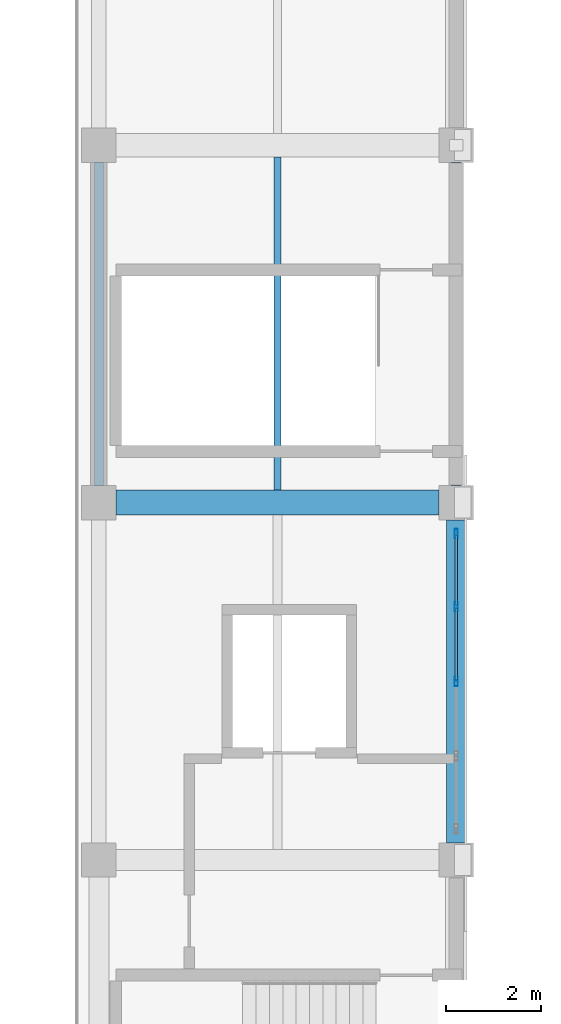
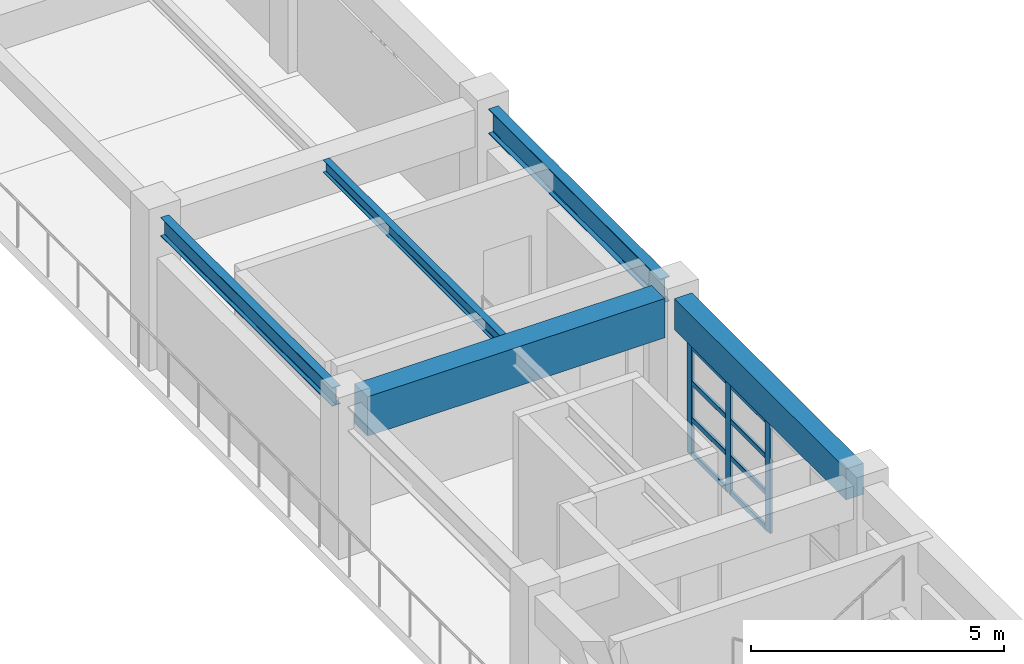
# One storey, part 50 of 101: 11 members, 5 beams, 1 element without a shape of its own.
"""IFC4 building model written with IfcOpenShell, lengths in metres."""

from ifc_helpers import new_model, si_unit, direction, frame, origin, origin_2d, place, context, subcontext, project, spatial, rectangle, hollow_rectangle, i_section, extrude, material, material_profile, profile_set, type_object, element, aggregate, save


model = new_model("IFC4")

# Units and contexts
model_context = context("Model", 3, precision=1e-05, world=origin(), true_north=direction((0.0, 1.0)))
body_context = subcontext(model_context, "Body", "Model", "MODEL_VIEW")
ifc_project = project(units=[si_unit("LENGTHUNIT", "METRE"), si_unit("AREAUNIT", "SQUARE_METRE"), si_unit("VOLUMEUNIT", "CUBIC_METRE"), si_unit("PLANEANGLEUNIT", "RADIAN"), si_unit("MASSUNIT", "GRAM", prefix="KILO")], contexts=[model_context])

# Site, building, storey
site_placement = place(None, origin())
site = spatial("IfcSite", under=ifc_project, at=site_placement, CompositionType="ELEMENT")
building_placement = place(site_placement, origin())
building = spatial("IfcBuilding", under=site, at=building_placement, Name="Qasida Concert Hall", CompositionType="ELEMENT")
storey_placement = place(building_placement, frame((0.0, 0.0, 13.199951171875)))
storey = spatial("IfcBuildingStorey", under=building, at=storey_placement, Name="L03", CompositionType="ELEMENT", Elevation=13.199951171875)

# Beams
ifc_material_1 = material(Name="Steel S355J2", Category="steel")
ifc_material_profile_1 = material_profile(ifc_material_1, i_section(OverallWidth=0.18994140625, OverallDepth=0.449951171875, WebThickness=0.009521484375, FlangeThickness=0.0146484375, FilletRadius=0.02099609375, at=origin_2d()), Name="IPE 450")
ifc_profile_set_1 = profile_set([ifc_material_profile_1], Name="Steel S355J2")
beam_type_1 = type_object("IfcBeamType", Name="BM-B5", PredefinedType="BEAM", material=ifc_profile_set_1)
beam_1_placement = place(storey_placement, frame((97.5, 60.360107421875, 3.39501953125), z_axis=(0.0, 1.0, 0.0), x_axis=(-1.0, 0.0, 0.0)))
element("IfcBeam", 1, at=beam_1_placement, inside=storey, type_object=beam_type_1, Name="L03 girder 1565", PredefinedType="BEAM", context=body_context, shape_type="SweptSolid", body=[
    extrude(i_section(OverallWidth=0.18994140625, OverallDepth=0.449951171875, WebThickness=0.009521484375, FlangeThickness=0.0146484375, FilletRadius=0.02099609375, at=origin_2d()), origin(), (0.0, 0.0, 1.0), 6.77978515625),
])
ifc_material_2 = material(Name="Concrete C40/50", Category="concrete")
ifc_material_profile_2 = material_profile(ifc_material_2, rectangle(XDim=0.52001953125, YDim=0.949951171875, at=origin_2d()), Name="RC 520x950")
ifc_profile_set_2 = profile_set([ifc_material_profile_2], Name="Concrete C40/50")
beam_type_2 = type_object("IfcBeamType", Name="BM-G7", PredefinedType="USERDEFINED", material=ifc_profile_set_2)
beam_2_placement = place(storey_placement, frame((97.860107421875, 60.0, 3.14501953125), z_axis=(1.0, 0.0, 0.0), x_axis=(0.0, 1.0, 0.0)))
element("IfcBeam", 2, at=beam_2_placement, inside=storey, type_object=beam_type_2, Name="Primary girder 1527", ObjectType="GIRDER", PredefinedType="USERDEFINED", context=body_context, shape_type="SweptSolid", body=[
    extrude(rectangle(XDim=0.52001953125, YDim=0.949951171875, at=origin_2d()), origin(), (0.0, 0.0, 1.0), 6.77978515625),
])
ifc_material_profile_3 = material_profile(ifc_material_1, i_section(OverallWidth=0.14990234375, OverallDepth=0.300048828125, WebThickness=0.007080078125, FlangeThickness=0.0107421875, FilletRadius=0.014892578125, at=origin_2d()), Name="IPE 300")
ifc_profile_set_3 = profile_set([ifc_material_profile_3], Name="Steel S355J2")
beam_type_3 = type_object("IfcBeamType", Name="BM-J4", PredefinedType="JOIST", material=ifc_profile_set_3)
beam_3_placement = place(storey_placement, frame((101.25, 60.260009765625, 3.469970703125), z_axis=(0.0, 1.0, 0.0), x_axis=(-1.0, 0.0, 0.0)))
element("IfcBeam", 3, at=beam_3_placement, inside=storey, type_object=beam_type_3, Name="L03 secondary joist 1595", PredefinedType="JOIST", context=body_context, shape_type="SweptSolid", body=[
    extrude(i_section(OverallWidth=0.14990234375, OverallDepth=0.300048828125, WebThickness=0.007080078125, FlangeThickness=0.0107421875, FilletRadius=0.014892578125, at=origin_2d()), origin(), (0.0, 0.0, 1.0), 6.989990234375),
])
ifc_material_profile_4 = material_profile(ifc_material_2, rectangle(XDim=0.39990234375, YDim=0.75, at=origin_2d()), Name="RC 400x750")
ifc_profile_set_4 = profile_set([ifc_material_profile_4], Name="Concrete C40/50")
beam_type_4 = type_object("IfcBeamType", Name="BM-SP1", PredefinedType="SPANDREL", material=ifc_profile_set_4)
beam_4_placement = place(storey_placement, frame((105.0, 52.860107421875, 3.2451171875), z_axis=(0.0, 1.0, 0.0), x_axis=(-1.0, 0.0, 0.0)))
element("IfcBeam", 4, at=beam_4_placement, inside=storey, type_object=beam_type_4, Name="L03 girder 1570", PredefinedType="SPANDREL", context=body_context, shape_type="SweptSolid", body=[
    extrude(rectangle(XDim=0.39990234375, YDim=0.75, at=origin_2d()), origin(), (0.0, 0.0, 1.0), 6.77978515625),
])
ifc_material_profile_5 = material_profile(ifc_material_1, i_section(OverallWidth=0.219970703125, OverallDepth=0.60009765625, WebThickness=0.011962890625, FlangeThickness=0.01904296875, FilletRadius=0.02392578125, at=origin_2d()), Name="IPE 600")
ifc_profile_set_5 = profile_set([ifc_material_profile_5], Name="Steel S355J2")
beam_type_5 = type_object("IfcBeamType", Name="BM-SP3", PredefinedType="SPANDREL", material=ifc_profile_set_5)
beam_5_placement = place(storey_placement, frame((105.0, 60.360107421875, 3.320068359375), z_axis=(0.0, 1.0, 0.0), x_axis=(-1.0, 0.0, 0.0)))
element("IfcBeam", 5, at=beam_5_placement, inside=storey, type_object=beam_type_5, Name="L03 girder 1571", PredefinedType="SPANDREL", context=body_context, shape_type="SweptSolid", body=[
    extrude(i_section(OverallWidth=0.219970703125, OverallDepth=0.60009765625, WebThickness=0.011962890625, FlangeThickness=0.01904296875, FilletRadius=0.02392578125, at=origin_2d()), origin(), (0.0, 0.0, 1.0), 6.77978515625),
])

# Curtain wall, members
ifc_material_3 = material(Name="Architectural bronze-anodized aluminium and low-E glass", Category="aluminium")
curtain_wall_type = type_object("IfcCurtainWallType", Name="CW-04", PredefinedType="NOTDEFINED", material=ifc_material_3)
curtain_wall_placement = place(storey_placement, origin())
curtain_wall = element("IfcCurtainWall", 6, at=curtain_wall_placement, inside=storey, type_object=curtain_wall_type, Name="L03 curtain wall CW-04 0055", PredefinedType="NOTDEFINED")
ifc_material_4 = material(Name="Architectural bronze-anodized aluminium EN AW-6063", Category="aluminium")
ifc_material_profile_6 = material_profile(ifc_material_4, hollow_rectangle(XDim=0.06494140625, YDim=0.199951171875, WallThickness=0.0048828125, InnerFilletRadius=0.0048828125, OuterFilletRadius=0.010009765625, at=origin_2d()), Name="CWM 200x65x5")
ifc_profile_set_6 = profile_set([ifc_material_profile_6], Name="Architectural bronze-anodized aluminium EN AW-6063")
member_type_1 = type_object("IfcMemberType", Name="MB-CWM-2", PredefinedType="MULLION", material=ifc_profile_set_6)
member_1_placement = place(storey_placement, frame((105.0, 56.25, 0.0), z_axis=(0.0, 0.0, 1.0), x_axis=(-1.0, 0.0, 0.0)))
member_1 = element("IfcMember", 7, at=member_1_placement, type_object=member_type_1, Name="CW-04 mullion 3", PredefinedType="MULLION", context=body_context, shape_type="SweptSolid", body=[
    extrude(hollow_rectangle(XDim=0.06494140625, YDim=0.199951171875, WallThickness=0.0048828125, InnerFilletRadius=0.0048828125, OuterFilletRadius=0.010009765625, at=origin_2d()), origin(), (0.0, 0.0, 1.0), 2.64013671875),
])
member_2_placement = place(storey_placement, frame((105.0, 57.81494140625, 0.0), z_axis=(0.0, 0.0, 1.0), x_axis=(-1.0, 0.0, 0.0)))
member_2 = element("IfcMember", 8, at=member_2_placement, type_object=member_type_1, Name="CW-04 mullion 4", PredefinedType="MULLION", context=body_context, shape_type="SweptSolid", body=[
    extrude(hollow_rectangle(XDim=0.06494140625, YDim=0.199951171875, WallThickness=0.0048828125, InnerFilletRadius=0.0048828125, OuterFilletRadius=0.010009765625, at=origin_2d()), origin(), (0.0, 0.0, 1.0), 2.64013671875),
])
member_3_placement = place(storey_placement, frame((105.0, 59.347412109375, 0.0), z_axis=(0.0, 0.0, 1.0), x_axis=(-1.0, 0.0, 0.0)))
member_3 = element("IfcMember", 9, at=member_3_placement, type_object=member_type_1, Name="CW-04 mullion 5", PredefinedType="MULLION", context=body_context, shape_type="SweptSolid", body=[
    extrude(hollow_rectangle(XDim=0.06494140625, YDim=0.199951171875, WallThickness=0.0048828125, InnerFilletRadius=0.0048828125, OuterFilletRadius=0.010009765625, at=origin_2d()), origin(), (0.0, 0.0, 1.0), 2.64013671875),
])
ifc_material_profile_7 = material_profile(ifc_material_4, hollow_rectangle(XDim=0.06005859375, YDim=0.1201171875, WallThickness=0.00390625, InnerFilletRadius=0.00390625, OuterFilletRadius=0.008056640625, at=origin_2d()), Name="CWT 120x60x4")
ifc_profile_set_7 = profile_set([ifc_material_profile_7], Name="Architectural bronze-anodized aluminium EN AW-6063")
member_type_2 = type_object("IfcMemberType", Name="MB-CWT-2", PredefinedType="USERDEFINED", material=ifc_profile_set_7)
member_4_placement = place(storey_placement, frame((105.0, 56.282470703125, 0.030029296875), z_axis=(0.0, 1.0, 0.0), x_axis=(-1.0, 0.0, 0.0)))
member_4 = element("IfcMember", 10, at=member_4_placement, type_object=member_type_2, Name="CW-04 transom 3.1", ObjectType="TRANSOM", PredefinedType="USERDEFINED", context=body_context, shape_type="SweptSolid", body=[
    extrude(hollow_rectangle(XDim=0.06005859375, YDim=0.1201171875, WallThickness=0.00390625, InnerFilletRadius=0.00390625, OuterFilletRadius=0.008056640625, at=origin_2d()), origin(), (0.0, 0.0, 1.0), 1.5),
])
member_5_placement = place(storey_placement, frame((105.0, 56.282470703125, 0.880126953125), z_axis=(0.0, 1.0, 0.0), x_axis=(-1.0, 0.0, 0.0)))
member_5 = element("IfcMember", 11, at=member_5_placement, type_object=member_type_2, Name="CW-04 transom 3.2", ObjectType="TRANSOM", PredefinedType="USERDEFINED", context=body_context, shape_type="SweptSolid", body=[
    extrude(hollow_rectangle(XDim=0.06005859375, YDim=0.1201171875, WallThickness=0.00390625, InnerFilletRadius=0.00390625, OuterFilletRadius=0.008056640625, at=origin_2d()), origin(), (0.0, 0.0, 1.0), 1.5),
])
member_6_placement = place(storey_placement, frame((105.0, 56.282470703125, 1.760009765625), z_axis=(0.0, 1.0, 0.0), x_axis=(-1.0, 0.0, 0.0)))
member_6 = element("IfcMember", 12, at=member_6_placement, type_object=member_type_2, Name="CW-04 transom 3.3", ObjectType="TRANSOM", PredefinedType="USERDEFINED", context=body_context, shape_type="SweptSolid", body=[
    extrude(hollow_rectangle(XDim=0.06005859375, YDim=0.1201171875, WallThickness=0.00390625, InnerFilletRadius=0.00390625, OuterFilletRadius=0.008056640625, at=origin_2d()), origin(), (0.0, 0.0, 1.0), 1.5),
])
member_7_placement = place(storey_placement, frame((105.0, 56.282470703125, 2.610107421875), z_axis=(0.0, 1.0, 0.0), x_axis=(-1.0, 0.0, 0.0)))
member_7 = element("IfcMember", 13, at=member_7_placement, type_object=member_type_2, Name="CW-04 transom 3.4", ObjectType="TRANSOM", PredefinedType="USERDEFINED", context=body_context, shape_type="SweptSolid", body=[
    extrude(hollow_rectangle(XDim=0.06005859375, YDim=0.1201171875, WallThickness=0.00390625, InnerFilletRadius=0.00390625, OuterFilletRadius=0.008056640625, at=origin_2d()), origin(), (0.0, 0.0, 1.0), 1.5),
])
member_8_placement = place(storey_placement, frame((105.0, 57.847412109375, 0.030029296875), z_axis=(0.0, 1.0, 0.0), x_axis=(-1.0, 0.0, 0.0)))
member_8 = element("IfcMember", 14, at=member_8_placement, type_object=member_type_2, Name="CW-04 transom 4.1", ObjectType="TRANSOM", PredefinedType="USERDEFINED", context=body_context, shape_type="SweptSolid", body=[
    extrude(hollow_rectangle(XDim=0.06005859375, YDim=0.1201171875, WallThickness=0.00390625, InnerFilletRadius=0.00390625, OuterFilletRadius=0.008056640625, at=origin_2d()), origin(), (0.0, 0.0, 1.0), 1.467529296875),
])
member_9_placement = place(storey_placement, frame((105.0, 57.847412109375, 0.880126953125), z_axis=(0.0, 1.0, 0.0), x_axis=(-1.0, 0.0, 0.0)))
member_9 = element("IfcMember", 15, at=member_9_placement, type_object=member_type_2, Name="CW-04 transom 4.2", ObjectType="TRANSOM", PredefinedType="USERDEFINED", context=body_context, shape_type="SweptSolid", body=[
    extrude(hollow_rectangle(XDim=0.06005859375, YDim=0.1201171875, WallThickness=0.00390625, InnerFilletRadius=0.00390625, OuterFilletRadius=0.008056640625, at=origin_2d()), origin(), (0.0, 0.0, 1.0), 1.467529296875),
])
member_10_placement = place(storey_placement, frame((105.0, 57.847412109375, 1.760009765625), z_axis=(0.0, 1.0, 0.0), x_axis=(-1.0, 0.0, 0.0)))
member_10 = element("IfcMember", 16, at=member_10_placement, type_object=member_type_2, Name="CW-04 transom 4.3", ObjectType="TRANSOM", PredefinedType="USERDEFINED", context=body_context, shape_type="SweptSolid", body=[
    extrude(hollow_rectangle(XDim=0.06005859375, YDim=0.1201171875, WallThickness=0.00390625, InnerFilletRadius=0.00390625, OuterFilletRadius=0.008056640625, at=origin_2d()), origin(), (0.0, 0.0, 1.0), 1.467529296875),
])
member_11_placement = place(storey_placement, frame((105.0, 57.847412109375, 2.610107421875), z_axis=(0.0, 1.0, 0.0), x_axis=(-1.0, 0.0, 0.0)))
member_11 = element("IfcMember", 17, at=member_11_placement, type_object=member_type_2, Name="CW-04 transom 4.4", ObjectType="TRANSOM", PredefinedType="USERDEFINED", context=body_context, shape_type="SweptSolid", body=[
    extrude(hollow_rectangle(XDim=0.06005859375, YDim=0.1201171875, WallThickness=0.00390625, InnerFilletRadius=0.00390625, OuterFilletRadius=0.008056640625, at=origin_2d()), origin(), (0.0, 0.0, 1.0), 1.467529296875),
])
aggregate(curtain_wall, [member_1, member_2, member_3, member_4, member_5, member_6, member_7, member_8, member_9, member_10, member_11])

save(model, "model.ifc")
